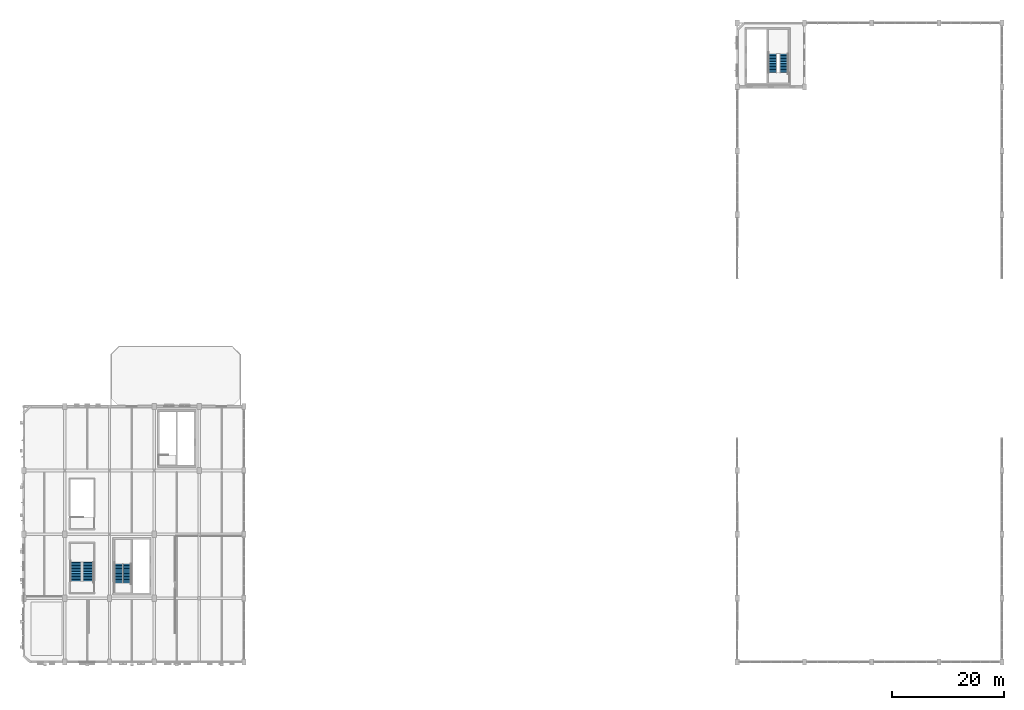
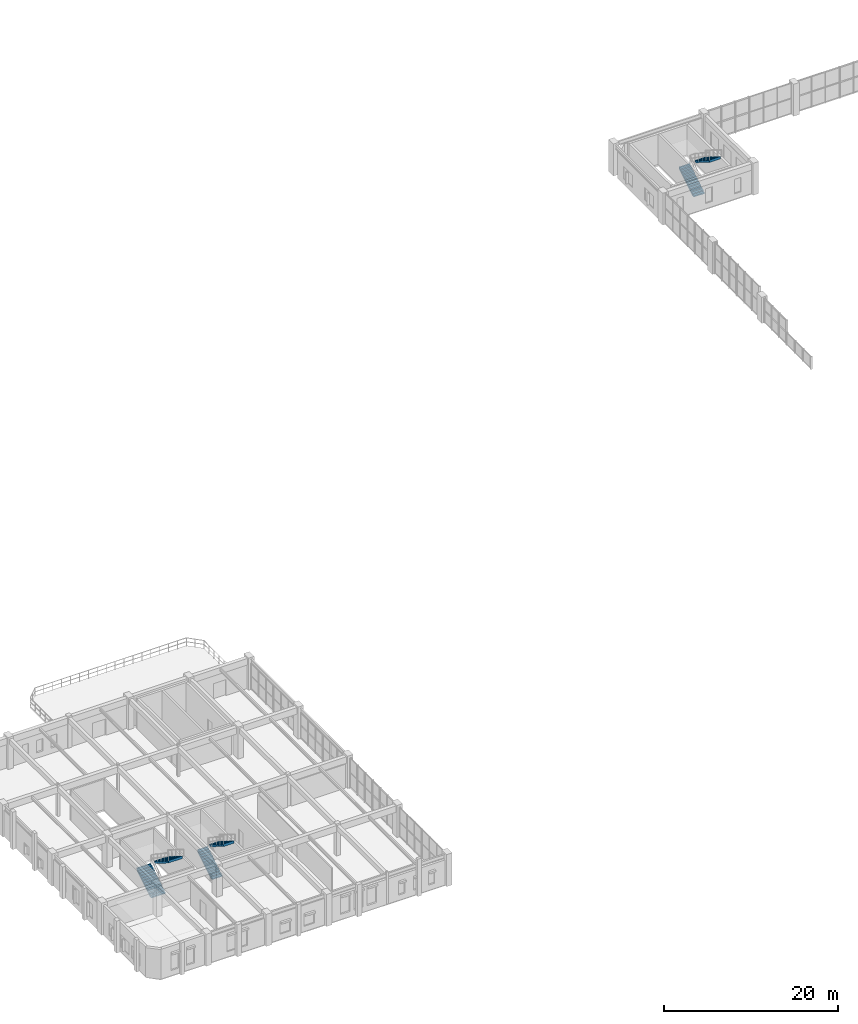
# One storey, part 40 of 48: 6 stair flights, 3 elements without a shape of their own.
"""IFC4 building model written with IfcOpenShell, lengths in metres."""

from ifc_helpers import new_model, si_unit, direction, frame, origin, place, context, subcontext, project, spatial, polyline, outline, extrude, material, type_object, element, aggregate, save


model = new_model("IFC4")

# Units and contexts
model_context = context("Model", 3, precision=1e-05, world=origin(), true_north=direction((0.0, 1.0)))
body_context = subcontext(model_context, "Body", "Model", "MODEL_VIEW")
ifc_project = project(units=[si_unit("LENGTHUNIT", "METRE"), si_unit("AREAUNIT", "SQUARE_METRE"), si_unit("VOLUMEUNIT", "CUBIC_METRE"), si_unit("PLANEANGLEUNIT", "RADIAN"), si_unit("MASSUNIT", "GRAM", prefix="KILO"), si_unit("POWERUNIT", "WATT"), si_unit("THERMODYNAMICTEMPERATUREUNIT", "KELVIN")], contexts=[model_context])

# Site, building, storey
site_placement = place(None, origin())
site = spatial("IfcSite", under=ifc_project, at=site_placement, CompositionType="ELEMENT")
building_placement = place(site_placement, origin())
building = spatial("IfcBuilding", under=site, at=building_placement, Name="Kelmbourne Parkland Aquatics Centre", CompositionType="ELEMENT")
storey_placement = place(building_placement, frame((0.0, 0.0, 14.699951171875)))
storey = spatial("IfcBuildingStorey", under=building, at=storey_placement, Name="L03", CompositionType="ELEMENT", Elevation=14.699951171875)

# Stair, stair flights
ifc_material = material(Name="Concrete C40/50", Category="concrete")
stair_type_1 = type_object("IfcStairType", Name="ST-T05", PredefinedType="HALF_TURN_STAIR", material=ifc_material)
stair_1_placement = place(storey_placement, origin())
stair_1 = element("IfcStair", 1, at=stair_1_placement, inside=storey, type_object=stair_type_1, Name="West Wing South Fire-Fighting Core Stair ST01 (L03)", PredefinedType="HALF_TURN_STAIR")
stair_flight_type_1 = type_object("IfcStairFlightType", Name="STF-T05", PredefinedType="STRAIGHT", material=ifc_material)
stair_flight_1_placement = place(storey_placement, frame((17.61376953125, 14.949951171875, 0.0), z_axis=(0.0, 0.0, 1.0), x_axis=(0.0, 1.0, 0.0)))
stair_flight_1 = element("IfcStairFlight", 2, at=stair_flight_1_placement, type_object=stair_flight_type_1, Name="West Wing South Fire-Fighting Core Stair ST01 lower flight (L03)", NumberOfRisers=13, NumberOfTreads=12, PredefinedType="STRAIGHT", RiserHeight=0.173077, TreadLength=0.28, context=body_context, shape_type="SweptSolid", body=[
    extrude(outline(polyline([(-0.008056640625, 0.0), (-0.008056640625, 0.034912109375), (0.0, 0.034912109375), (0.0, 0.173095703125), (0.280029296875, 0.173095703125), (0.280029296875, 0.34619140625), (0.56005859375, 0.34619140625), (0.56005859375, 0.519287109375), (0.840087890625, 0.519287109375), (0.840087890625, 0.6923828125), (1.1201171875, 0.6923828125), (1.1201171875, 0.865478515625), (1.39990234375, 0.865478515625), (1.39990234375, 1.03857421875), (1.679931640625, 1.03857421875), (1.679931640625, 1.21142578125), (1.9599609375, 1.21142578125), (1.9599609375, 1.384521484375), (2.239990234375, 1.384521484375), (2.239990234375, 1.5576171875), (2.52001953125, 1.5576171875), (2.52001953125, 1.730712890625), (2.800048828125, 1.730712890625), (2.800048828125, 1.90380859375), (3.080078125, 1.90380859375), (3.080078125, 2.076904296875), (3.360107421875, 2.076904296875), (3.360107421875, 2.25), (3.367919921875, 2.25), (3.367919921875, 2.110107421875), (3.360107421875, 1.888916015625), (0.30419921875, 0.0), (-0.008056640625, 0.0)])), frame((0.0, 0.69384765625, 0.0), z_axis=(0.0, -1.0, 0.0), x_axis=(1.0, 0.0, 0.0)), (0.0, 0.0, 1.0), 1.387451171875),
])
stair_flight_2_placement = place(storey_placement, frame((19.1611328125, 18.31005859375, 2.25), z_axis=(0.0, 0.0, 1.0), x_axis=(0.0, -1.0, 0.0)))
stair_flight_2 = element("IfcStairFlight", 3, at=stair_flight_2_placement, type_object=stair_flight_type_1, Name="West Wing South Fire-Fighting Core Stair ST01 upper flight (L03)", NumberOfRisers=13, NumberOfTreads=12, PredefinedType="STRAIGHT", RiserHeight=0.173077, TreadLength=0.28, context=body_context, shape_type="SweptSolid", body=[
    extrude(outline(polyline([(-0.008056640625, 0.0), (-0.008056640625, 0.034912109375), (0.0, 0.034912109375), (0.0, 0.173095703125), (0.280029296875, 0.173095703125), (0.280029296875, 0.34619140625), (0.56005859375, 0.34619140625), (0.56005859375, 0.519287109375), (0.840087890625, 0.519287109375), (0.840087890625, 0.6923828125), (1.1201171875, 0.6923828125), (1.1201171875, 0.865478515625), (1.39990234375, 0.865478515625), (1.39990234375, 1.03857421875), (1.679931640625, 1.03857421875), (1.679931640625, 1.21142578125), (1.9599609375, 1.21142578125), (1.9599609375, 1.384521484375), (2.239990234375, 1.384521484375), (2.239990234375, 1.5576171875), (2.52001953125, 1.5576171875), (2.52001953125, 1.730712890625), (2.800048828125, 1.730712890625), (2.800048828125, 1.90380859375), (3.080078125, 1.90380859375), (3.080078125, 2.076904296875), (3.360107421875, 2.076904296875), (3.360107421875, 2.25), (3.367919921875, 2.25), (3.367919921875, 2.110107421875), (3.360107421875, 1.888916015625), (0.30419921875, 0.0), (-0.008056640625, 0.0)])), frame((0.0, 0.69384765625, 0.0), z_axis=(0.0, -1.0, 0.0), x_axis=(1.0, 0.0, 0.0)), (0.0, 0.0, 1.0), 1.387451171875),
])
aggregate(stair_1, [stair_flight_1, stair_flight_2])

stair_type_2 = type_object("IfcStairType", Name="ST-T19", PredefinedType="HALF_TURN_STAIR", material=ifc_material)
stair_2_placement = place(storey_placement, origin())
stair_2 = element("IfcStair", 4, at=stair_2_placement, inside=storey, type_object=stair_type_2, Name="North Diving Control Fire-Fighting Core Stair ST05 (L03)", PredefinedType="HALF_TURN_STAIR")
stair_flight_type_2 = type_object("IfcStairFlightType", Name="STF-T19", PredefinedType="STRAIGHT", material=ifc_material)
stair_flight_3_placement = place(storey_placement, frame((134.27001953125, 105.949951171875, 0.0), z_axis=(0.0, 0.0, 1.0), x_axis=(0.0, 1.0, 0.0)))
stair_flight_3 = element("IfcStairFlight", 5, at=stair_flight_3_placement, type_object=stair_flight_type_2, Name="North Diving Control Fire-Fighting Core Stair ST05 lower flight (L03)", NumberOfRisers=13, NumberOfTreads=12, PredefinedType="STRAIGHT", RiserHeight=0.173077, TreadLength=0.28, context=body_context, shape_type="SweptSolid", body=[
    extrude(outline(polyline([(-0.008056640625, 0.0), (-0.008056640625, 0.034912109375), (0.0, 0.034912109375), (0.0, 0.173095703125), (0.280029296875, 0.173095703125), (0.280029296875, 0.34619140625), (0.56005859375, 0.34619140625), (0.56005859375, 0.519287109375), (0.840087890625, 0.519287109375), (0.840087890625, 0.6923828125), (1.1201171875, 0.6923828125), (1.1201171875, 0.865478515625), (1.39990234375, 0.865478515625), (1.39990234375, 1.03857421875), (1.679931640625, 1.03857421875), (1.679931640625, 1.21142578125), (1.9599609375, 1.21142578125), (1.9599609375, 1.384521484375), (2.239990234375, 1.384521484375), (2.239990234375, 1.5576171875), (2.52001953125, 1.5576171875), (2.52001953125, 1.730712890625), (2.800048828125, 1.730712890625), (2.800048828125, 1.90380859375), (3.080078125, 1.90380859375), (3.080078125, 2.076904296875), (3.360107421875, 2.076904296875), (3.360107421875, 2.25), (3.367919921875, 2.25), (3.367919921875, 2.110107421875), (3.360107421875, 1.888916015625), (0.30419921875, 0.0), (-0.008056640625, 0.0)])), frame((0.0, 0.72509765625, 0.0), z_axis=(0.0, -1.0, 0.0), x_axis=(1.0, 0.0, 0.0)), (0.0, 0.0, 1.0), 1.449951171875),
])
stair_flight_4_placement = place(storey_placement, frame((136.35498046875, 109.31005859375, 2.25), z_axis=(0.0, 0.0, 1.0), x_axis=(0.0, -1.0, 0.0)))
stair_flight_4 = element("IfcStairFlight", 6, at=stair_flight_4_placement, type_object=stair_flight_type_2, Name="North Diving Control Fire-Fighting Core Stair ST05 upper flight (L03)", NumberOfRisers=13, NumberOfTreads=12, PredefinedType="STRAIGHT", RiserHeight=0.173077, TreadLength=0.28, context=body_context, shape_type="SweptSolid", body=[
    extrude(outline(polyline([(-0.008056640625, 0.0), (-0.008056640625, 0.034912109375), (0.0, 0.034912109375), (0.0, 0.173095703125), (0.280029296875, 0.173095703125), (0.280029296875, 0.34619140625), (0.56005859375, 0.34619140625), (0.56005859375, 0.519287109375), (0.840087890625, 0.519287109375), (0.840087890625, 0.6923828125), (1.1201171875, 0.6923828125), (1.1201171875, 0.865478515625), (1.39990234375, 0.865478515625), (1.39990234375, 1.03857421875), (1.679931640625, 1.03857421875), (1.679931640625, 1.21142578125), (1.9599609375, 1.21142578125), (1.9599609375, 1.384521484375), (2.239990234375, 1.384521484375), (2.239990234375, 1.5576171875), (2.52001953125, 1.5576171875), (2.52001953125, 1.730712890625), (2.800048828125, 1.730712890625), (2.800048828125, 1.90380859375), (3.080078125, 1.90380859375), (3.080078125, 2.076904296875), (3.360107421875, 2.076904296875), (3.360107421875, 2.25), (3.367919921875, 2.25), (3.367919921875, 2.110107421875), (3.360107421875, 1.888916015625), (0.30419921875, 0.0), (-0.008056640625, 0.0)])), frame((0.0, 0.72509765625, 0.0), z_axis=(0.0, -1.0, 0.0), x_axis=(1.0, 0.0, 0.0)), (0.0, 0.0, 1.0), 1.449951171875),
])
aggregate(stair_2, [stair_flight_3, stair_flight_4])

stair_type_3 = type_object("IfcStairType", Name="ST-T24", PredefinedType="HALF_TURN_STAIR", material=ifc_material)
stair_3_placement = place(storey_placement, origin())
stair_3 = element("IfcStair", 7, at=stair_3_placement, inside=storey, type_object=stair_type_3, Name="West South Perimeter Exit Stair (L03)", PredefinedType="HALF_TURN_STAIR")
stair_flight_type_3 = type_object("IfcStairFlightType", Name="STF-T24", PredefinedType="STRAIGHT", material=ifc_material)
stair_flight_5_placement = place(storey_placement, frame((9.969970703125, 15.25, 0.0), z_axis=(0.0, 0.0, 1.0), x_axis=(0.0, 1.0, 0.0)))
stair_flight_5 = element("IfcStairFlight", 8, at=stair_flight_5_placement, type_object=stair_flight_type_3, Name="West South Perimeter Exit Stair lower flight (L03)", NumberOfRisers=13, NumberOfTreads=12, PredefinedType="STRAIGHT", RiserHeight=0.173077, TreadLength=0.28, context=body_context, shape_type="SweptSolid", body=[
    extrude(outline(polyline([(-0.008056640625, 0.0), (-0.008056640625, 0.034912109375), (0.0, 0.034912109375), (0.0, 0.173095703125), (0.280029296875, 0.173095703125), (0.280029296875, 0.34619140625), (0.56005859375, 0.34619140625), (0.56005859375, 0.519287109375), (0.840087890625, 0.519287109375), (0.840087890625, 0.6923828125), (1.1201171875, 0.6923828125), (1.1201171875, 0.865478515625), (1.39990234375, 0.865478515625), (1.39990234375, 1.03857421875), (1.679931640625, 1.03857421875), (1.679931640625, 1.21142578125), (1.9599609375, 1.21142578125), (1.9599609375, 1.384521484375), (2.239990234375, 1.384521484375), (2.239990234375, 1.5576171875), (2.52001953125, 1.5576171875), (2.52001953125, 1.730712890625), (2.800048828125, 1.730712890625), (2.800048828125, 1.90380859375), (3.080078125, 1.90380859375), (3.080078125, 2.076904296875), (3.360107421875, 2.076904296875), (3.360107421875, 2.25), (3.367919921875, 2.25), (3.367919921875, 2.110107421875), (3.360107421875, 1.888916015625), (0.30419921875, 0.0), (-0.008056640625, 0.0)])), frame((0.0, 0.949951171875, 0.0), z_axis=(0.0, -1.0, 0.0), x_axis=(1.0, 0.0, 0.0)), (0.0, 0.0, 1.0), 1.89990234375),
])
stair_flight_6_placement = place(storey_placement, frame((12.22998046875, 18.610107421875, 2.25), z_axis=(0.0, 0.0, 1.0), x_axis=(0.0, -1.0, 0.0)))
stair_flight_6 = element("IfcStairFlight", 9, at=stair_flight_6_placement, type_object=stair_flight_type_3, Name="West South Perimeter Exit Stair upper flight (L03)", NumberOfRisers=13, NumberOfTreads=12, PredefinedType="STRAIGHT", RiserHeight=0.173077, TreadLength=0.28, context=body_context, shape_type="SweptSolid", body=[
    extrude(outline(polyline([(-0.008056640625, 0.0), (-0.008056640625, 0.034912109375), (0.0, 0.034912109375), (0.0, 0.173095703125), (0.280029296875, 0.173095703125), (0.280029296875, 0.34619140625), (0.56005859375, 0.34619140625), (0.56005859375, 0.519287109375), (0.840087890625, 0.519287109375), (0.840087890625, 0.6923828125), (1.1201171875, 0.6923828125), (1.1201171875, 0.865478515625), (1.39990234375, 0.865478515625), (1.39990234375, 1.03857421875), (1.679931640625, 1.03857421875), (1.679931640625, 1.21142578125), (1.9599609375, 1.21142578125), (1.9599609375, 1.384521484375), (2.239990234375, 1.384521484375), (2.239990234375, 1.5576171875), (2.52001953125, 1.5576171875), (2.52001953125, 1.730712890625), (2.800048828125, 1.730712890625), (2.800048828125, 1.90380859375), (3.080078125, 1.90380859375), (3.080078125, 2.076904296875), (3.360107421875, 2.076904296875), (3.360107421875, 2.25), (3.367919921875, 2.25), (3.367919921875, 2.110107421875), (3.360107421875, 1.888916015625), (0.30419921875, 0.0), (-0.008056640625, 0.0)])), frame((0.0, 0.949951171875, 0.0), z_axis=(0.0, -1.0, 0.0), x_axis=(1.0, 0.0, 0.0)), (0.0, 0.0, 1.0), 1.89990234375),
])
aggregate(stair_3, [stair_flight_5, stair_flight_6])

save(model, "model.ifc")
